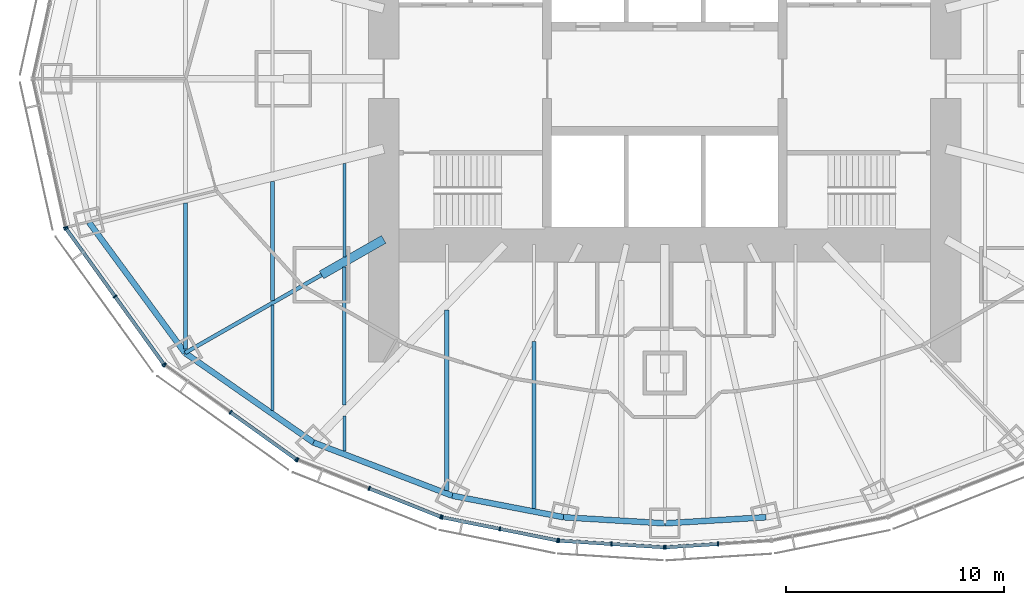
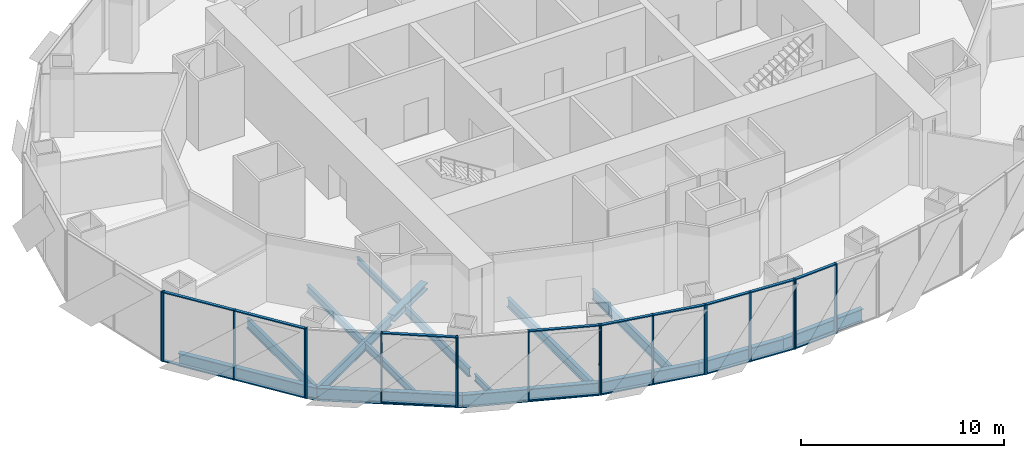
# One storey, part 2 of 17: 36 members, 16 beams, 7 elements without a shape of their own.
"""IFC4 building model written with IfcOpenShell, lengths in metres."""

import ifcopenshell
import ifcopenshell.guid

model = None  # the IFC model being written
_history = None  # IfcOwnerHistory: only IFC2X3 demands one
_inside = {}  # id of a spatial element -> (the spatial element, [elements in it])
_under = {}  # id of a project, library or spatial element -> (it, [spatial elements below it])
_declared = {}  # id of a project -> (the project, [libraries it declares])
_typed = {}  # id of a type object -> (the type object, [elements of that type])
_made_of = {}  # id of a material, layer set ... -> (it, [elements and type objects made of it])


def new_model(schema):
    """Start an empty IFC model of exactly this schema.

    Asked for "IFC4X3", IfcOpenShell would pick the latest addendum, in which some entities
    have other attributes; the version numbers below select the first issue.
    IFC2X3 requires an IfcOwnerHistory on every rooted entity: one is made here for all.
    """
    global model, _history
    if schema == "IFC4X3":
        model = ifcopenshell.file(schema_version=(4, 3, 0, 0))
    else:
        model = ifcopenshell.file(schema=schema)
    _inside.clear()
    _under.clear()
    _declared.clear()
    _typed.clear()
    _made_of.clear()
    _history = None
    if model.schema == "IFC2X3":
        org = make("IfcOrganization", Name="unknown")
        user = make(
            "IfcPersonAndOrganization",
            ThePerson=make("IfcPerson", FamilyName="unknown"),
            TheOrganization=org,
        )
        app = make(
            "IfcApplication",
            ApplicationDeveloper=org,
            Version="unknown",
            ApplicationFullName="unknown",
            ApplicationIdentifier="unknown",
        )
        _history = make(
            "IfcOwnerHistory",
            OwningUser=user,
            OwningApplication=app,
            ChangeAction="ADDED",
            CreationDate=0,
        )
    return model


def make(cls, **values):
    """One entity of the class cls with the attributes given. An attribute that is None is left unset."""
    return model.create_entity(
        cls, **{name: value for name, value in values.items() if value is not None}
    )


def rooted(cls, **values):
    """An entity with a GlobalId (a new one), such as an element, a storey or a relation."""
    return make(cls, GlobalId=ifcopenshell.guid.new(), OwnerHistory=_history, **values)


def si_unit(unit_type, name, prefix=None):
    """IfcSIUnit, for example si_unit("LENGTHUNIT", "METRE", prefix="MILLI")."""
    return make("IfcSIUnit", UnitType=unit_type, Prefix=prefix, Name=name)


def assignment(units):
    """IfcUnitAssignment: the units of a project."""
    return None if units is None else make("IfcUnitAssignment", Units=units)


def point(xyz):
    """IfcCartesianPoint."""
    return None if xyz is None else make("IfcCartesianPoint", Coordinates=xyz)


def direction(xyz):
    """IfcDirection."""
    return None if xyz is None else make("IfcDirection", DirectionRatios=xyz)


def frame(location, z_axis=None, x_axis=None):
    """IfcAxis2Placement3D, a coordinate frame: its origin and axes. An axis left out is left unset."""
    return make(
        "IfcAxis2Placement3D",
        Location=point(location),
        Axis=direction(z_axis),
        RefDirection=direction(x_axis),
    )


def frame_2d(location, x_axis=None):
    """IfcAxis2Placement2D, a coordinate frame in the plane: its origin and x axis."""
    return make(
        "IfcAxis2Placement2D", Location=point(location), RefDirection=direction(x_axis)
    )


def origin():
    """The frame at (0, 0, 0) with its axes left unset."""
    return frame((0.0, 0.0, 0.0))


def origin_2d():
    """The frame at (0, 0) in the plane with its x axis left unset."""
    return frame_2d((0.0, 0.0))


def place(relative_to, where):
    """IfcLocalPlacement: puts the frame where relative to a parent placement (None: the world)."""
    return make(
        "IfcLocalPlacement", PlacementRelTo=relative_to, RelativePlacement=where
    )


def context(
    kind, dimensions, precision=None, world=None, true_north=None, identifier=None
):
    """IfcGeometricRepresentationContext, for example the 3D "Model" context."""
    return make(
        "IfcGeometricRepresentationContext",
        ContextIdentifier=identifier,
        ContextType=kind,
        CoordinateSpaceDimension=dimensions,
        Precision=precision,
        WorldCoordinateSystem=world,
        TrueNorth=true_north,
    )


def subcontext(parent, identifier, kind, view, scale=None):
    """IfcGeometricRepresentationSubContext, for example "Body" below "Model"."""
    return make(
        "IfcGeometricRepresentationSubContext",
        ContextIdentifier=identifier,
        ContextType=kind,
        ParentContext=parent,
        TargetScale=scale,
        TargetView=view,
    )


def project(units=None, contexts=None):
    """IfcProject with its units and contexts."""
    return rooted(
        "IfcProject",
        Name="project",
        RepresentationContexts=contexts,
        UnitsInContext=assignment(units),
    )


def spatial(cls, under=None, at=None, **own):
    """A site, building, storey or space (cls), placed at a placement, below another one or the project."""
    s = rooted(cls, ObjectPlacement=at, **own)
    if under is not None:
        _under.setdefault(under.id(), (under, []))[1].append(s)
    return s


def profile(cls, at=None, kind="AREA", **sizes):
    """A parametric profile (cls). Its sizes go by their IFC names, for example OverallWidth=200.0."""
    return make(cls, ProfileType=kind, Position=at, **sizes)


def rectangle(**sizes):
    """IfcRectangleProfileDef."""
    return profile("IfcRectangleProfileDef", **sizes)


def i_section(**sizes):
    """IfcIShapeProfileDef."""
    return profile("IfcIShapeProfileDef", **sizes)


def extrude(swept, where, along, depth):
    """IfcExtrudedAreaSolid: the profile swept, set in the frame where, extruded along a direction by depth."""
    return make(
        "IfcExtrudedAreaSolid",
        SweptArea=swept,
        Position=where,
        ExtrudedDirection=direction(along),
        Depth=depth,
    )


def shape(context_of_items, identifier, shape_type, items):
    """IfcShapeRepresentation: the items that make up one representation, for example the "Body"."""
    return make(
        "IfcShapeRepresentation",
        ContextOfItems=context_of_items,
        RepresentationIdentifier=identifier,
        RepresentationType=shape_type,
        Items=items,
    )


def material(Name=None, Category=None):
    """IfcMaterial."""
    return make("IfcMaterial", Name=Name, Category=Category)


def material_profile(
    of_material, cross_section, Name=None, Category=None, Priority=None
):
    """IfcMaterialProfile: a cross section and its material."""
    return make(
        "IfcMaterialProfile",
        Name=Name,
        Material=of_material,
        Profile=cross_section,
        Priority=Priority,
        Category=Category,
    )


def profile_set(profiles, Name=None, composite=None):
    """IfcMaterialProfileSet."""
    return make(
        "IfcMaterialProfileSet",
        Name=Name,
        MaterialProfiles=profiles,
        CompositeProfile=composite,
    )


def made_of(thing, what):
    """Note that an element or type object is made of a material, layer set ...; save() writes the relation."""
    if what is not None:
        _made_of.setdefault(what.id(), (what, []))[1].append(thing)
    return thing


def type_object(cls, material=None, **own):
    """A type object (cls), such as IfcWallType, which elements share."""
    return made_of(rooted(cls, **own), material)


def element(
    cls,
    number,
    at=None,
    inside=None,
    cuts=None,
    type_object=None,
    material=None,
    context=None,
    identifier="Body",
    shape_type=None,
    held_by="IfcProductDefinitionShape",
    body=None,
    shapes=None,
    **own,
):
    """One element of the class cls, such as IfcWall. Its Tag is "e" and its number.

    at: its placement. inside: the storey or other place that contains it. cuts: it is an
    opening in that element (IfcRelVoidsElement). A single representation is given by context,
    identifier, shape_type and body (its items); several are given by shapes. held_by: the class
    of the entity that holds the representations. save() writes the other relations.
    """
    e = rooted(cls, Tag="e%d" % number, ObjectPlacement=at, **own)
    if body is not None:
        shapes = [shape(context, identifier, shape_type, body)]
    if shapes is not None:
        e.Representation = make(held_by, Representations=shapes)
    if inside is not None:
        _inside.setdefault(inside.id(), (inside, []))[1].append(e)
    if cuts is not None:
        rooted(
            "IfcRelVoidsElement", RelatingBuildingElement=cuts, RelatedOpeningElement=e
        )
    if type_object is not None:
        _typed.setdefault(type_object.id(), (type_object, []))[1].append(e)
    return made_of(e, material)


def aggregate(whole, parts):
    """IfcRelAggregates: a whole, such as a stair, and the parts it consists of."""
    return rooted("IfcRelAggregates", RelatingObject=whole, RelatedObjects=parts)


def save(model, path):
    """Write the relations noted so far, then the file.

    IfcRelAggregates (storeys below a building ...), IfcRelContainedInSpatialStructure (elements
    in a storey), IfcRelDefinesByType, IfcRelAssociatesMaterial and IfcRelDeclares: one each for
    every whole, place, type object, material and project.
    """
    for whole, parts in _under.values():
        aggregate(whole, parts)
    for where, things in _inside.values():
        rooted(
            "IfcRelContainedInSpatialStructure",
            RelatedElements=things,
            RelatingStructure=where,
        )
    for kind, things in _typed.values():
        rooted("IfcRelDefinesByType", RelatedObjects=things, RelatingType=kind)
    for what, things in _made_of.values():
        rooted("IfcRelAssociatesMaterial", RelatedObjects=things, RelatingMaterial=what)
    for by, libraries in _declared.values():
        rooted("IfcRelDeclares", RelatingContext=by, RelatedDefinitions=libraries)
    model.write(path)


model = new_model("IFC4")

# Units and contexts
model_context = context("Model", 3, precision=1e-05, world=origin(), true_north=direction((0.0, 1.0)))
body_context = subcontext(model_context, "Body", "Model", "MODEL_VIEW")
ifc_project = project(units=[si_unit("LENGTHUNIT", "METRE"), si_unit("AREAUNIT", "SQUARE_METRE"), si_unit("VOLUMEUNIT", "CUBIC_METRE"), si_unit("PLANEANGLEUNIT", "RADIAN"), si_unit("MASSUNIT", "GRAM", prefix="KILO")], contexts=[model_context])

# Site, building, storey
site_placement = place(None, origin())
site = spatial("IfcSite", under=ifc_project, at=site_placement, CompositionType="ELEMENT")
building_placement = place(site_placement, origin())
building = spatial("IfcBuilding", under=site, at=building_placement, Name="Lantaw Convention Tower", CompositionType="ELEMENT")
storey_placement = place(building_placement, frame((0.0, 0.0, 125.800048828125)))
storey = spatial("IfcBuildingStorey", under=building, at=storey_placement, Name="L29", CompositionType="ELEMENT", Elevation=125.800048828125)

# Beams
ifc_material_1 = material(Name="Steel ASTM A992", Category="steel")
ifc_material_profile_1 = material_profile(ifc_material_1, i_section(OverallWidth=0.2666015625, OverallDepth=0.76953125, WebThickness=0.015625, FlangeThickness=0.025390625, FilletRadius=0.0126953125, at=origin_2d()), Name="W30X132")
ifc_profile_set_1 = profile_set([ifc_material_profile_1], Name="Steel ASTM A992")
beam_type_1 = type_object("IfcBeamType", Name="Beam E W30X132", PredefinedType="SPANDREL", material=ifc_profile_set_1)
beam_1_placement = place(storey_placement, frame((-26.419921875, -6.587158203125, -0.534912109375), z_axis=(0.5923891972, -0.805651934176, 0.0), x_axis=(0.805651934176, 0.5923891972, 0.0)))
element("IfcBeam", 1, at=beam_1_placement, inside=storey, type_object=beam_type_1, Name="Edge beam 14", PredefinedType="SPANDREL", context=body_context, shape_type="SweptSolid", body=[
    extrude(i_section(OverallWidth=0.2666015625, OverallDepth=0.76953125, WebThickness=0.015625, FlangeThickness=0.025390625, FilletRadius=0.0126953125, at=origin_2d()), origin(), (0.0, 0.0, 1.0), 7.437744140625),
])
beam_2_placement = place(storey_placement, frame((-22.013916015625, -12.579345703125, -0.534912109375), z_axis=(0.820310765287, -0.57191804339, 0.0), x_axis=(0.57191804339, 0.820310765287, 0.0)))
element("IfcBeam", 2, at=beam_2_placement, inside=storey, type_object=beam_type_1, Name="Edge beam 15", PredefinedType="SPANDREL", context=body_context, shape_type="SweptSolid", body=[
    extrude(i_section(OverallWidth=0.2666015625, OverallDepth=0.76953125, WebThickness=0.015625, FlangeThickness=0.025390625, FilletRadius=0.0126953125, at=origin_2d()), origin(), (0.0, 0.0, 1.0), 7.187744140625),
])
beam_3_placement = place(storey_placement, frame((-16.11767578125, -16.690185546875, -0.534912109375), z_axis=(0.933691081977, -0.358079549033, 0.0), x_axis=(0.358079549033, 0.933691081977, 0.0)))
element("IfcBeam", 3, at=beam_3_placement, inside=storey, type_object=beam_type_1, Name="Edge beam 16", PredefinedType="SPANDREL", context=body_context, shape_type="SweptSolid", body=[
    extrude(i_section(OverallWidth=0.2666015625, OverallDepth=0.76953125, WebThickness=0.015625, FlangeThickness=0.025390625, FilletRadius=0.0126953125, at=origin_2d()), origin(), (0.0, 0.0, 1.0), 6.821533203125),
])
beam_4_placement = place(storey_placement, frame((-9.74853515625, -19.1328125, -0.534912109375), z_axis=(0.981796805654, -0.189934284446, 0.0), x_axis=(0.189934284446, 0.981796805654, 0.0)))
element("IfcBeam", 4, at=beam_4_placement, inside=storey, type_object=beam_type_1, Name="Edge beam 17", PredefinedType="SPANDREL", context=body_context, shape_type="SweptSolid", body=[
    extrude(i_section(OverallWidth=0.2666015625, OverallDepth=0.76953125, WebThickness=0.015625, FlangeThickness=0.025390625, FilletRadius=0.0126953125, at=origin_2d()), origin(), (0.0, 0.0, 1.0), 5.1982421875),
])
for number, where, z_axis, x_axis, name in (
    (5, (-4.64501953125, -20.1201171875, -0.534912109375), (0.998190892054, -0.06012439621, 0.0), (0.06012439621, 0.998190892054, 0.0), "Edge beam 18"),
    (6, (0.0, -20.39990234375, -0.534912109375), (0.998190892054, 0.06012439621, 0.0), (-0.06012439621, 0.998190892054, 0.0), "Edge beam 19"),
):
    element("IfcBeam", number, at=place(storey_placement, frame(where, z_axis=z_axis, x_axis=x_axis)), inside=storey, type_object=beam_type_1, Name=name, PredefinedType="SPANDREL", context=body_context, shape_type="SweptSolid", body=[
        extrude(i_section(OverallWidth=0.2666015625, OverallDepth=0.76953125, WebThickness=0.015625, FlangeThickness=0.025390625, FilletRadius=0.0126953125, at=origin_2d()), origin(), (0.0, 0.0, 1.0), 4.6533203125),
    ])
ifc_material_profile_2 = material_profile(ifc_material_1, i_section(OverallWidth=0.177978515625, OverallDepth=0.599365234375, WebThickness=0.010009765625, FlangeThickness=0.012939453125, FilletRadius=0.012939453125, at=origin_2d()), Name="W24X55")
ifc_profile_set_2 = profile_set([ifc_material_profile_2], Name="Steel ASTM A992")
beam_type_2 = type_object("IfcBeamType", Name="Beam G W24X55", PredefinedType="BEAM", material=ifc_profile_set_2)
beam_5_placement = place(storey_placement, frame((-15.75, -9.0, -0.44970703125), z_axis=(-0.868245224608, -0.496135293993, 0.0), x_axis=(0.496135293993, -0.868245224608, 0.0)))
element("IfcBeam", 7, at=beam_5_placement, inside=storey, type_object=beam_type_2, Name="Floor girder on ray 15", PredefinedType="BEAM", context=body_context, shape_type="SweptSolid", body=[
    extrude(i_section(OverallWidth=0.177978515625, OverallDepth=0.599365234375, WebThickness=0.010009765625, FlangeThickness=0.012939453125, FilletRadius=0.012939453125, at=origin_2d()), origin(), (0.0, 0.0, 1.0), 7.21435546875),
])
ifc_material_profile_3 = material_profile(ifc_material_1, i_section(OverallWidth=0.40380859375, OverallDepth=0.406494140625, WebThickness=0.027099609375, FlangeThickness=0.043701171875, FilletRadius=0.01513671875, at=origin_2d()), Name="W14X233")
ifc_profile_set_3 = profile_set([ifc_material_profile_3], Name="Steel ASTM A992")
beam_type_3 = type_object("IfcBeamType", Name="Beam GM W14X233", PredefinedType="BEAM", material=ifc_profile_set_3)
beam_6_placement = place(storey_placement, frame((-12.89990234375, -7.371337890625, -0.353271484375), z_axis=(-0.868238565244, -0.496146947811, 0.0), x_axis=(0.496146947811, -0.868238565244, 0.0)))
element("IfcBeam", 8, at=beam_6_placement, inside=storey, type_object=beam_type_3, Name="Core link beam on ray 15", PredefinedType="BEAM", context=body_context, shape_type="SweptSolid", body=[
    extrude(i_section(OverallWidth=0.40380859375, OverallDepth=0.406494140625, WebThickness=0.027099609375, FlangeThickness=0.043701171875, FilletRadius=0.01513671875, at=origin_2d()), origin(), (0.0, 0.0, 1.0), 3.28271484375),
])
ifc_material_profile_4 = material_profile(ifc_material_1, i_section(OverallWidth=0.140380859375, OverallDepth=0.40380859375, WebThickness=0.007080078125, FlangeThickness=0.01123046875, FilletRadius=0.01025390625, at=origin_2d()), Name="W16X31")
ifc_profile_set_4 = profile_set([ifc_material_profile_4], Name="Steel ASTM A992")
beam_type_4 = type_object("IfcBeamType", Name="Beam J W16X31", PredefinedType="JOIST", material=ifc_profile_set_4)
beam_7_placement = place(storey_placement, frame((-14.699951171875, -17.091064453125, -0.35205078125), z_axis=(0.0, 1.0, 0.0), x_axis=(-1.0, 0.0, 0.0)))
element("IfcBeam", 9, at=beam_7_placement, inside=storey, type_object=beam_type_4, Name="Floor joist", PredefinedType="JOIST", context=body_context, shape_type="SweptSolid", body=[
    extrude(i_section(OverallWidth=0.140380859375, OverallDepth=0.40380859375, WebThickness=0.007080078125, FlangeThickness=0.01123046875, FilletRadius=0.01025390625, at=origin_2d()), origin(), (0.0, 0.0, 1.0), 1.609130859375),
])
beam_8_placement = place(storey_placement, frame((-14.699951171875, -8.16748046875, -0.35205078125), z_axis=(0.0, 1.0, 0.0), x_axis=(-1.0, 0.0, 0.0)))
element("IfcBeam", 10, at=beam_8_placement, inside=storey, type_object=beam_type_4, Name="Floor joist", PredefinedType="JOIST", context=body_context, shape_type="SweptSolid", body=[
    extrude(i_section(OverallWidth=0.140380859375, OverallDepth=0.40380859375, WebThickness=0.007080078125, FlangeThickness=0.01123046875, FilletRadius=0.01025390625, at=origin_2d()), origin(), (0.0, 0.0, 1.0), 4.28515625),
])
ifc_material_profile_5 = material_profile(ifc_material_1, i_section(OverallWidth=0.15234375, OverallDepth=0.449462890625, WebThickness=0.007568359375, FlangeThickness=0.0107421875, FilletRadius=0.01025390625, at=origin_2d()), Name="W18X35")
ifc_profile_set_5 = profile_set([ifc_material_profile_5], Name="Steel ASTM A992")
beam_type_5 = type_object("IfcBeamType", Name="Beam J W18X35", PredefinedType="JOIST", material=ifc_profile_set_5)
beam_9_placement = place(storey_placement, frame((-18.0, -15.21533203125, -0.374755859375), z_axis=(0.0, 1.0, 0.0), x_axis=(-1.0, 0.0, 0.0)))
element("IfcBeam", 11, at=beam_9_placement, inside=storey, type_object=beam_type_5, Name="Floor joist", PredefinedType="JOIST", context=body_context, shape_type="SweptSolid", body=[
    extrude(i_section(OverallWidth=0.15234375, OverallDepth=0.449462890625, WebThickness=0.007568359375, FlangeThickness=0.0107421875, FilletRadius=0.01025390625, at=origin_2d()), origin(), (0.0, 0.0, 1.0), 4.8271484375),
])
ifc_material_profile_6 = material_profile(ifc_material_1, i_section(OverallWidth=0.1904296875, OverallDepth=0.457275390625, WebThickness=0.009033203125, FlangeThickness=0.014404296875, FilletRadius=0.01025390625, at=origin_2d()), Name="W18X50")
ifc_profile_set_6 = profile_set([ifc_material_profile_6], Name="Steel ASTM A992")
beam_type_6 = type_object("IfcBeamType", Name="Beam J W18X50", PredefinedType="JOIST", material=ifc_profile_set_6)
beam_10_placement = place(storey_placement, frame((-18.0, -10.18310546875, -0.378662109375), z_axis=(0.0, 1.0, 0.0), x_axis=(-1.0, 0.0, 0.0)))
element("IfcBeam", 12, at=beam_10_placement, inside=storey, type_object=beam_type_6, Name="Floor joist", PredefinedType="JOIST", context=body_context, shape_type="SweptSolid", body=[
    extrude(i_section(OverallWidth=0.1904296875, OverallDepth=0.457275390625, WebThickness=0.009033203125, FlangeThickness=0.014404296875, FilletRadius=0.01025390625, at=origin_2d()), origin(), (0.0, 0.0, 1.0), 5.47802734375),
])
ifc_material_profile_7 = material_profile(ifc_material_1, i_section(OverallWidth=0.1650390625, OverallDepth=0.52587890625, WebThickness=0.0087890625, FlangeThickness=0.011474609375, FilletRadius=0.0126953125, at=origin_2d()), Name="W21X44")
ifc_profile_set_7 = profile_set([ifc_material_profile_7], Name="Steel ASTM A992")
beam_type_7 = type_object("IfcBeamType", Name="Beam J W21X44", PredefinedType="JOIST", material=ifc_profile_set_7)
beam_11_placement = place(storey_placement, frame((-14.699951171875, -14.962646484375, -0.412841796875), z_axis=(0.0, 1.0, 0.0), x_axis=(-1.0, 0.0, 0.0)))
element("IfcBeam", 13, at=beam_11_placement, inside=storey, type_object=beam_type_7, Name="Floor joist", PredefinedType="JOIST", context=body_context, shape_type="SweptSolid", body=[
    extrude(i_section(OverallWidth=0.1650390625, OverallDepth=0.52587890625, WebThickness=0.0087890625, FlangeThickness=0.011474609375, FilletRadius=0.0126953125, at=origin_2d()), origin(), (0.0, 0.0, 1.0), 6.330078125),
])
ifc_material_profile_8 = material_profile(ifc_material_1, i_section(OverallWidth=0.2099609375, OverallDepth=0.535888671875, WebThickness=0.010986328125, FlangeThickness=0.017333984375, FilletRadius=0.012939453125, at=origin_2d()), Name="W21X68")
ifc_profile_set_8 = profile_set([ifc_material_profile_8], Name="Steel ASTM A992")
beam_type_8 = type_object("IfcBeamType", Name="Beam J W21X68", PredefinedType="JOIST", material=ifc_profile_set_8)
beam_12_placement = place(storey_placement, frame((-10.0, -18.8935546875, -0.41796875), z_axis=(0.0, 1.0, 0.0), x_axis=(-1.0, 0.0, 0.0)))
element("IfcBeam", 14, at=beam_12_placement, inside=storey, type_object=beam_type_8, Name="Floor joist", PredefinedType="JOIST", context=body_context, shape_type="SweptSolid", body=[
    extrude(i_section(OverallWidth=0.2099609375, OverallDepth=0.535888671875, WebThickness=0.010986328125, FlangeThickness=0.017333984375, FilletRadius=0.012939453125, at=origin_2d()), origin(), (0.0, 0.0, 1.0), 8.278564453125),
])
ifc_material_profile_9 = material_profile(ifc_material_1, i_section(OverallWidth=0.177978515625, OverallDepth=0.599365234375, WebThickness=0.010009765625, FlangeThickness=0.012939453125, FilletRadius=0.012939453125, at=origin_2d()), Name="W24X55")
ifc_profile_set_9 = profile_set([ifc_material_profile_9], Name="Steel ASTM A992")
beam_type_9 = type_object("IfcBeamType", Name="Beam J W24X55", PredefinedType="JOIST", material=ifc_profile_set_9)
beam_13_placement = place(storey_placement, frame((-22.0, -12.408935546875, -0.44970703125), z_axis=(0.0, 1.0, 0.0), x_axis=(-1.0, 0.0, 0.0)))
element("IfcBeam", 15, at=beam_13_placement, inside=storey, type_object=beam_type_9, Name="Floor joist", PredefinedType="JOIST", context=body_context, shape_type="SweptSolid", body=[
    extrude(i_section(OverallWidth=0.177978515625, OverallDepth=0.599365234375, WebThickness=0.010009765625, FlangeThickness=0.012939453125, FilletRadius=0.012939453125, at=origin_2d()), origin(), (0.0, 0.0, 1.0), 6.70654296875),
])
beam_14_placement = place(storey_placement, frame((-6.0, -19.72216796875, -0.44970703125), z_axis=(0.0, 1.0, 0.0), x_axis=(-1.0, 0.0, 0.0)))
element("IfcBeam", 16, at=beam_14_placement, inside=storey, type_object=beam_type_9, Name="Floor joist", PredefinedType="JOIST", context=body_context, shape_type="SweptSolid", body=[
    extrude(i_section(OverallWidth=0.177978515625, OverallDepth=0.599365234375, WebThickness=0.010009765625, FlangeThickness=0.012939453125, FilletRadius=0.012939453125, at=origin_2d()), origin(), (0.0, 0.0, 1.0), 7.666748046875),
])

# Curtain wall, member
ifc_material_2 = material(Name="Aluminium framed curtain wall", Category="aluminium")
curtain_wall_type = type_object("IfcCurtainWallType", Name="Office curtain wall low rise, pale aluminium", PredefinedType="USERDEFINED", material=ifc_material_2)
curtain_wall_1_placement = place(storey_placement, origin())
curtain_wall_1 = element("IfcCurtainWall", 17, at=curtain_wall_1_placement, inside=storey, type_object=curtain_wall_type, Name="Office curtain wall low rise, pale aluminium L29", ObjectType="UNITISED CURTAIN WALL", PredefinedType="USERDEFINED")
ifc_material_3 = material(Name="Aluminium 6063-T6", Category="aluminium")
ifc_material_profile_10 = material_profile(ifc_material_3, rectangle(XDim=0.199951171875, YDim=0.06494140625, at=origin_2d()), Name="CW-O1 mullion 65x200")
ifc_profile_set_10 = profile_set([ifc_material_profile_10], Name="Aluminium 6063-T6")
member_type_1 = type_object("IfcMemberType", Name="CW-O1 mullion 65x200", PredefinedType="MULLION", material=ifc_profile_set_10)
member_1_placement = place(storey_placement, frame((-27.494140625, -6.821533203125, -0.150146484375), z_axis=(0.0, 0.0, 1.0), x_axis=(0.9764936509, 0.215546166174, 0.0)))
member_1 = element("IfcMember", 18, at=member_1_placement, type_object=member_type_1, Name="CW-O1 mullion 3", PredefinedType="MULLION", context=body_context, shape_type="SweptSolid", body=[
    extrude(rectangle(XDim=0.199951171875, YDim=0.06494140625, at=origin_2d()), origin(), (0.0, 0.0, 1.0), 4.2001953125),
])
aggregate(curtain_wall_1, [member_1])

# Curtain wall, members
curtain_wall_2_placement = place(storey_placement, origin())
curtain_wall_2 = element("IfcCurtainWall", 19, at=curtain_wall_2_placement, inside=storey, type_object=curtain_wall_type, Name="Office curtain wall low rise, pale aluminium L29", ObjectType="UNITISED CURTAIN WALL", PredefinedType="USERDEFINED")
member_2_placement = place(storey_placement, frame((-27.46826171875, -6.879638671875, -0.150146484375), z_axis=(0.0, 0.0, 1.0), x_axis=(0.811384633629, 0.584512597221, 0.0)))
member_2 = element("IfcMember", 20, at=member_2_placement, type_object=member_type_1, Name="CW-O1 mullion 1", PredefinedType="MULLION", context=body_context, shape_type="SweptSolid", body=[
    extrude(rectangle(XDim=0.199951171875, YDim=0.06494140625, at=origin_2d()), origin(), (0.0, 0.0, 1.0), 4.2001953125),
])
member_3_placement = place(storey_placement, frame((-25.22802734375, -9.9892578125, -0.150146484375), z_axis=(0.0, 0.0, 1.0), x_axis=(0.811384633629, 0.584512597221, 0.0)))
member_3 = element("IfcMember", 21, at=member_3_placement, type_object=member_type_1, Name="CW-O1 mullion 2", PredefinedType="MULLION", context=body_context, shape_type="SweptSolid", body=[
    extrude(rectangle(XDim=0.199951171875, YDim=0.06494140625, at=origin_2d()), origin(), (0.0, 0.0, 1.0), 4.2001953125),
])
member_4_placement = place(storey_placement, frame((-22.988037109375, -13.098876953125, -0.150146484375), z_axis=(0.0, 0.0, 1.0), x_axis=(0.811384633629, 0.584512597221, 0.0)))
member_4 = element("IfcMember", 22, at=member_4_placement, type_object=member_type_1, Name="CW-O1 mullion 3", PredefinedType="MULLION", context=body_context, shape_type="SweptSolid", body=[
    extrude(rectangle(XDim=0.199951171875, YDim=0.06494140625, at=origin_2d()), origin(), (0.0, 0.0, 1.0), 4.2001953125),
])

curtain_wall_3_placement = place(storey_placement, origin())
curtain_wall_3 = element("IfcCurtainWall", 23, at=curtain_wall_3_placement, inside=storey, type_object=curtain_wall_type, Name="Office curtain wall low rise, pale aluminium L29", ObjectType="UNITISED CURTAIN WALL", PredefinedType="USERDEFINED")
member_5_placement = place(storey_placement, frame((-22.942626953125, -13.14404296875, -0.150146484375), z_axis=(0.0, 0.0, 1.0), x_axis=(0.581972695693, 0.813208325995, 0.0)))
member_5 = element("IfcMember", 24, at=member_5_placement, type_object=member_type_1, Name="CW-O1 mullion 1", PredefinedType="MULLION", context=body_context, shape_type="SweptSolid", body=[
    extrude(rectangle(XDim=0.199951171875, YDim=0.06494140625, at=origin_2d()), origin(), (0.0, 0.0, 1.0), 4.2001953125),
])
member_6_placement = place(storey_placement, frame((-19.92529296875, -15.303466796875, -0.150146484375), z_axis=(0.0, 0.0, 1.0), x_axis=(0.581972695693, 0.813208325995, 0.0)))
member_6 = element("IfcMember", 25, at=member_6_placement, type_object=member_type_1, Name="CW-O1 mullion 2", PredefinedType="MULLION", context=body_context, shape_type="SweptSolid", body=[
    extrude(rectangle(XDim=0.199951171875, YDim=0.06494140625, at=origin_2d()), origin(), (0.0, 0.0, 1.0), 4.2001953125),
])
member_7_placement = place(storey_placement, frame((-16.908203125, -17.462646484375, -0.150146484375), z_axis=(0.0, 0.0, 1.0), x_axis=(0.581972695693, 0.813208325995, 0.0)))
member_7 = element("IfcMember", 26, at=member_7_placement, type_object=member_type_1, Name="CW-O1 mullion 3", PredefinedType="MULLION", context=body_context, shape_type="SweptSolid", body=[
    extrude(rectangle(XDim=0.199951171875, YDim=0.06494140625, at=origin_2d()), origin(), (0.0, 0.0, 1.0), 4.2001953125),
])

curtain_wall_4_placement = place(storey_placement, origin())
curtain_wall_4 = element("IfcCurtainWall", 27, at=curtain_wall_4_placement, inside=storey, type_object=curtain_wall_type, Name="Office curtain wall low rise, pale aluminium L29", ObjectType="UNITISED CURTAIN WALL", PredefinedType="USERDEFINED")
member_8_placement = place(storey_placement, frame((-16.8515625, -17.49365234375, -0.150146484375), z_axis=(0.0, 0.0, 1.0), x_axis=(0.368701907483, 0.929547687544, 0.0)))
member_8 = element("IfcMember", 28, at=member_8_placement, type_object=member_type_1, Name="CW-O1 mullion 1", PredefinedType="MULLION", context=body_context, shape_type="SweptSolid", body=[
    extrude(rectangle(XDim=0.199951171875, YDim=0.06494140625, at=origin_2d()), origin(), (0.0, 0.0, 1.0), 4.2001953125),
])
member_9_placement = place(storey_placement, frame((-13.56494140625, -18.797119140625, -0.150146484375), z_axis=(0.0, 0.0, 1.0), x_axis=(0.368701907483, 0.929547687544, 0.0)))
member_9 = element("IfcMember", 29, at=member_9_placement, type_object=member_type_1, Name="CW-O1 mullion 2", PredefinedType="MULLION", context=body_context, shape_type="SweptSolid", body=[
    extrude(rectangle(XDim=0.199951171875, YDim=0.06494140625, at=origin_2d()), origin(), (0.0, 0.0, 1.0), 4.2001953125),
])
member_10_placement = place(storey_placement, frame((-10.2783203125, -20.100830078125, -0.150146484375), z_axis=(0.0, 0.0, 1.0), x_axis=(0.368701907483, 0.929547687544, 0.0)))
member_10 = element("IfcMember", 30, at=member_10_placement, type_object=member_type_1, Name="CW-O1 mullion 3", PredefinedType="MULLION", context=body_context, shape_type="SweptSolid", body=[
    extrude(rectangle(XDim=0.199951171875, YDim=0.06494140625, at=origin_2d()), origin(), (0.0, 0.0, 1.0), 4.2001953125),
])

curtain_wall_5_placement = place(storey_placement, origin())
curtain_wall_5 = element("IfcCurtainWall", 31, at=curtain_wall_5_placement, inside=storey, type_object=curtain_wall_type, Name="Office curtain wall low rise, pale aluminium L29", ObjectType="UNITISED CURTAIN WALL", PredefinedType="USERDEFINED")
member_11_placement = place(storey_placement, frame((-10.216064453125, -20.119140625, -0.150146484375), z_axis=(0.0, 0.0, 1.0), x_axis=(0.197506809659, 0.980301514912, 0.0)))
member_11 = element("IfcMember", 32, at=member_11_placement, type_object=member_type_1, Name="CW-O1 mullion 1", PredefinedType="MULLION", context=body_context, shape_type="SweptSolid", body=[
    extrude(rectangle(XDim=0.199951171875, YDim=0.06494140625, at=origin_2d()), origin(), (0.0, 0.0, 1.0), 4.2001953125),
])
member_12_placement = place(storey_placement, frame((-7.5703125, -20.65234375, -0.150146484375), z_axis=(0.0, 0.0, 1.0), x_axis=(0.197506809659, 0.980301514912, 0.0)))
member_12 = element("IfcMember", 33, at=member_12_placement, type_object=member_type_1, Name="CW-O1 mullion 2", PredefinedType="MULLION", context=body_context, shape_type="SweptSolid", body=[
    extrude(rectangle(XDim=0.199951171875, YDim=0.06494140625, at=origin_2d()), origin(), (0.0, 0.0, 1.0), 4.2001953125),
])
member_13_placement = place(storey_placement, frame((-4.92431640625, -21.185302734375, -0.150146484375), z_axis=(0.0, 0.0, 1.0), x_axis=(0.197506809659, 0.980301514912, 0.0)))
member_13 = element("IfcMember", 34, at=member_13_placement, type_object=member_type_1, Name="CW-O1 mullion 3", PredefinedType="MULLION", context=body_context, shape_type="SweptSolid", body=[
    extrude(rectangle(XDim=0.199951171875, YDim=0.06494140625, at=origin_2d()), origin(), (0.0, 0.0, 1.0), 4.2001953125),
])

curtain_wall_6_placement = place(storey_placement, origin())
curtain_wall_6 = element("IfcCurtainWall", 35, at=curtain_wall_6_placement, inside=storey, type_object=curtain_wall_type, Name="Office curtain wall low rise, pale aluminium L29", ObjectType="UNITISED CURTAIN WALL", PredefinedType="USERDEFINED")
member_14_placement = place(storey_placement, frame((-4.860107421875, -21.19384765625, -0.150146484375), z_axis=(0.0, 0.0, 1.0), x_axis=(0.062865059466, 0.998022035978, 0.0)))
member_14 = element("IfcMember", 36, at=member_14_placement, type_object=member_type_1, Name="CW-O1 mullion 1", PredefinedType="MULLION", context=body_context, shape_type="SweptSolid", body=[
    extrude(rectangle(XDim=0.199951171875, YDim=0.06494140625, at=origin_2d()), origin(), (0.0, 0.0, 1.0), 4.2001953125),
])
member_15_placement = place(storey_placement, frame((-2.4462890625, -21.345947265625, -0.150146484375), z_axis=(0.0, 0.0, 1.0), x_axis=(0.062865059466, 0.998022035978, 0.0)))
member_15 = element("IfcMember", 37, at=member_15_placement, type_object=member_type_1, Name="CW-O1 mullion 2", PredefinedType="MULLION", context=body_context, shape_type="SweptSolid", body=[
    extrude(rectangle(XDim=0.199951171875, YDim=0.06494140625, at=origin_2d()), origin(), (0.0, 0.0, 1.0), 4.2001953125),
])
member_16_placement = place(storey_placement, frame((-0.032470703125, -21.498046875, -0.150146484375), z_axis=(0.0, 0.0, 1.0), x_axis=(0.062865059466, 0.998022035978, 0.0)))
member_16 = element("IfcMember", 38, at=member_16_placement, type_object=member_type_1, Name="CW-O1 mullion 3", PredefinedType="MULLION", context=body_context, shape_type="SweptSolid", body=[
    extrude(rectangle(XDim=0.199951171875, YDim=0.06494140625, at=origin_2d()), origin(), (0.0, 0.0, 1.0), 4.2001953125),
])

curtain_wall_7_placement = place(storey_placement, origin())
curtain_wall_7 = element("IfcCurtainWall", 39, at=curtain_wall_7_placement, inside=storey, type_object=curtain_wall_type, Name="Office curtain wall low rise, pale aluminium L29", ObjectType="UNITISED CURTAIN WALL", PredefinedType="USERDEFINED")
member_17_placement = place(storey_placement, frame((0.032470703125, -21.498046875, -0.150146484375), z_axis=(0.0, 0.0, 1.0), x_axis=(-0.062865059466, 0.998022035978, 0.0)))
member_17 = element("IfcMember", 40, at=member_17_placement, type_object=member_type_1, Name="CW-O1 mullion 1", PredefinedType="MULLION", context=body_context, shape_type="SweptSolid", body=[
    extrude(rectangle(XDim=0.199951171875, YDim=0.06494140625, at=origin_2d()), origin(), (0.0, 0.0, 1.0), 4.2001953125),
])
member_18_placement = place(storey_placement, frame((2.4462890625, -21.345947265625, -0.150146484375), z_axis=(0.0, 0.0, 1.0), x_axis=(-0.062865059466, 0.998022035978, 0.0)))
member_18 = element("IfcMember", 41, at=member_18_placement, type_object=member_type_1, Name="CW-O1 mullion 2", PredefinedType="MULLION", context=body_context, shape_type="SweptSolid", body=[
    extrude(rectangle(XDim=0.199951171875, YDim=0.06494140625, at=origin_2d()), origin(), (0.0, 0.0, 1.0), 4.2001953125),
])

# Member
ifc_material_profile_11 = material_profile(ifc_material_3, rectangle(XDim=0.159912109375, YDim=0.06494140625, at=origin_2d()), Name="CW-O1 transom 65x160")
ifc_profile_set_11 = profile_set([ifc_material_profile_11], Name="Aluminium 6063-T6")
member_type_2 = type_object("IfcMemberType", Name="CW-O1 transom 65x160", PredefinedType="USERDEFINED", material=ifc_profile_set_11)
member_19_placement = place(storey_placement, frame((-27.44921875, -6.906005859375, -0.117431640625), z_axis=(0.584512973979, -0.811384362217, 0.0), x_axis=(0.811384362217, 0.584512973979, 0.0)))
member_19 = element("IfcMember", 42, at=member_19_placement, type_object=member_type_2, Name="CW-O1 transom 1.1", ObjectType="TRANSOM", PredefinedType="USERDEFINED", context=body_context, shape_type="SweptSolid", body=[
    extrude(rectangle(XDim=0.159912109375, YDim=0.06494140625, at=origin_2d()), origin(), (0.0, 0.0, 1.0), 3.767578125),
])

member_20_placement = place(storey_placement, frame((-27.44921875, -6.906005859375, 4.017333984375), z_axis=(0.584512973979, -0.811384362217, 0.0), x_axis=(0.811384362217, 0.584512973979, 0.0)))
member_20 = element("IfcMember", 43, at=member_20_placement, type_object=member_type_2, Name="CW-O1 transom 1.2", ObjectType="TRANSOM", PredefinedType="USERDEFINED", context=body_context, shape_type="SweptSolid", body=[
    extrude(rectangle(XDim=0.159912109375, YDim=0.06494140625, at=origin_2d()), origin(), (0.0, 0.0, 1.0), 3.767578125),
])

member_21_placement = place(storey_placement, frame((-25.209228515625, -10.015625, -0.117431640625), z_axis=(0.584512973979, -0.811384362217, 0.0), x_axis=(0.811384362217, 0.584512973979, 0.0)))
member_21 = element("IfcMember", 44, at=member_21_placement, type_object=member_type_2, Name="CW-O1 transom 2.1", ObjectType="TRANSOM", PredefinedType="USERDEFINED", context=body_context, shape_type="SweptSolid", body=[
    extrude(rectangle(XDim=0.159912109375, YDim=0.06494140625, at=origin_2d()), origin(), (0.0, 0.0, 1.0), 3.767578125),
])

member_22_placement = place(storey_placement, frame((-25.209228515625, -10.015625, 4.017333984375), z_axis=(0.584512973979, -0.811384362217, 0.0), x_axis=(0.811384362217, 0.584512973979, 0.0)))
member_22 = element("IfcMember", 45, at=member_22_placement, type_object=member_type_2, Name="CW-O1 transom 2.2", ObjectType="TRANSOM", PredefinedType="USERDEFINED", context=body_context, shape_type="SweptSolid", body=[
    extrude(rectangle(XDim=0.159912109375, YDim=0.06494140625, at=origin_2d()), origin(), (0.0, 0.0, 1.0), 3.767578125),
])

aggregate(curtain_wall_2, [member_2, member_3, member_4, member_19, member_20, member_21, member_22])

member_23_placement = place(storey_placement, frame((-19.89892578125, -15.322265625, -0.117431640625), z_axis=(0.813190089133, -0.581998177777, 0.0), x_axis=(0.581998177777, 0.813190089133, 0.0)))
member_23 = element("IfcMember", 46, at=member_23_placement, type_object=member_type_2, Name="CW-O1 transom 2.1", ObjectType="TRANSOM", PredefinedType="USERDEFINED", context=body_context, shape_type="SweptSolid", body=[
    extrude(rectangle(XDim=0.159912109375, YDim=0.06494140625, at=origin_2d()), origin(), (0.0, 0.0, 1.0), 3.645263671875),
])

member_24_placement = place(storey_placement, frame((-19.89892578125, -15.322265625, 4.017333984375), z_axis=(0.813190089133, -0.581998177777, 0.0), x_axis=(0.581998177777, 0.813190089133, 0.0)))
member_24 = element("IfcMember", 47, at=member_24_placement, type_object=member_type_2, Name="CW-O1 transom 2.2", ObjectType="TRANSOM", PredefinedType="USERDEFINED", context=body_context, shape_type="SweptSolid", body=[
    extrude(rectangle(XDim=0.159912109375, YDim=0.06494140625, at=origin_2d()), origin(), (0.0, 0.0, 1.0), 3.645263671875),
])

aggregate(curtain_wall_3, [member_5, member_6, member_7, member_23, member_24])

member_25_placement = place(storey_placement, frame((-13.53466796875, -18.80908203125, -0.117431640625), z_axis=(0.929540081544, -0.368721082668, 0.0), x_axis=(0.368721082668, 0.929540081544, 0.0)))
member_25 = element("IfcMember", 48, at=member_25_placement, type_object=member_type_2, Name="CW-O1 transom 2.1", ObjectType="TRANSOM", PredefinedType="USERDEFINED", context=body_context, shape_type="SweptSolid", body=[
    extrude(rectangle(XDim=0.159912109375, YDim=0.06494140625, at=origin_2d()), origin(), (0.0, 0.0, 1.0), 3.470947265625),
])

member_26_placement = place(storey_placement, frame((-13.53466796875, -18.80908203125, 4.017333984375), z_axis=(0.929540081544, -0.368721082668, 0.0), x_axis=(0.368721082668, 0.929540081544, 0.0)))
member_26 = element("IfcMember", 49, at=member_26_placement, type_object=member_type_2, Name="CW-O1 transom 2.2", ObjectType="TRANSOM", PredefinedType="USERDEFINED", context=body_context, shape_type="SweptSolid", body=[
    extrude(rectangle(XDim=0.159912109375, YDim=0.06494140625, at=origin_2d()), origin(), (0.0, 0.0, 1.0), 3.470947265625),
])

aggregate(curtain_wall_4, [member_8, member_9, member_10, member_25, member_26])

member_27_placement = place(storey_placement, frame((-10.184326171875, -20.125732421875, -0.117431640625), z_axis=(0.980301643003, -0.197506173891, 0.0), x_axis=(0.197506173891, 0.980301643003, 0.0)))
member_27 = element("IfcMember", 50, at=member_27_placement, type_object=member_type_2, Name="CW-O1 transom 1.1", ObjectType="TRANSOM", PredefinedType="USERDEFINED", context=body_context, shape_type="SweptSolid", body=[
    extrude(rectangle(XDim=0.159912109375, YDim=0.06494140625, at=origin_2d()), origin(), (0.0, 0.0, 1.0), 2.63427734375),
])

member_28_placement = place(storey_placement, frame((-10.184326171875, -20.125732421875, 4.017333984375), z_axis=(0.980301643003, -0.197506173891, 0.0), x_axis=(0.197506173891, 0.980301643003, 0.0)))
member_28 = element("IfcMember", 51, at=member_28_placement, type_object=member_type_2, Name="CW-O1 transom 1.2", ObjectType="TRANSOM", PredefinedType="USERDEFINED", context=body_context, shape_type="SweptSolid", body=[
    extrude(rectangle(XDim=0.159912109375, YDim=0.06494140625, at=origin_2d()), origin(), (0.0, 0.0, 1.0), 2.63427734375),
])

member_29_placement = place(storey_placement, frame((-7.538330078125, -20.65869140625, -0.117431640625), z_axis=(0.980298027092, -0.197524120247, 0.0), x_axis=(0.197524120247, 0.980298027092, 0.0)))
member_29 = element("IfcMember", 52, at=member_29_placement, type_object=member_type_2, Name="CW-O1 transom 2.1", ObjectType="TRANSOM", PredefinedType="USERDEFINED", context=body_context, shape_type="SweptSolid", body=[
    extrude(rectangle(XDim=0.159912109375, YDim=0.06494140625, at=origin_2d()), origin(), (0.0, 0.0, 1.0), 2.634033203125),
])

member_30_placement = place(storey_placement, frame((-7.538330078125, -20.65869140625, 4.017333984375), z_axis=(0.980298027092, -0.197524120247, 0.0), x_axis=(0.197524120247, 0.980298027092, 0.0)))
member_30 = element("IfcMember", 53, at=member_30_placement, type_object=member_type_2, Name="CW-O1 transom 2.2", ObjectType="TRANSOM", PredefinedType="USERDEFINED", context=body_context, shape_type="SweptSolid", body=[
    extrude(rectangle(XDim=0.159912109375, YDim=0.06494140625, at=origin_2d()), origin(), (0.0, 0.0, 1.0), 2.634033203125),
])

aggregate(curtain_wall_5, [member_11, member_12, member_13, member_27, member_28, member_29, member_30])

member_31_placement = place(storey_placement, frame((-4.82763671875, -21.19580078125, -0.117431640625), z_axis=(0.998022188463, -0.062862638625, 0.0), x_axis=(0.062862638625, 0.998022188463, 0.0)))
member_31 = element("IfcMember", 54, at=member_31_placement, type_object=member_type_2, Name="CW-O1 transom 1.1", ObjectType="TRANSOM", PredefinedType="USERDEFINED", context=body_context, shape_type="SweptSolid", body=[
    extrude(rectangle(XDim=0.159912109375, YDim=0.06494140625, at=origin_2d()), origin(), (0.0, 0.0, 1.0), 2.353515625),
])

member_32_placement = place(storey_placement, frame((-4.82763671875, -21.19580078125, 4.017333984375), z_axis=(0.998022188463, -0.062862638625, 0.0), x_axis=(0.062862638625, 0.998022188463, 0.0)))
member_32 = element("IfcMember", 55, at=member_32_placement, type_object=member_type_2, Name="CW-O1 transom 1.2", ObjectType="TRANSOM", PredefinedType="USERDEFINED", context=body_context, shape_type="SweptSolid", body=[
    extrude(rectangle(XDim=0.159912109375, YDim=0.06494140625, at=origin_2d()), origin(), (0.0, 0.0, 1.0), 2.353515625),
])

member_33_placement = place(storey_placement, frame((-2.413818359375, -21.347900390625, -0.117431640625), z_axis=(0.998022188463, -0.062862638625, 0.0), x_axis=(0.062862638625, 0.998022188463, 0.0)))
member_33 = element("IfcMember", 56, at=member_33_placement, type_object=member_type_2, Name="CW-O1 transom 2.1", ObjectType="TRANSOM", PredefinedType="USERDEFINED", context=body_context, shape_type="SweptSolid", body=[
    extrude(rectangle(XDim=0.159912109375, YDim=0.06494140625, at=origin_2d()), origin(), (0.0, 0.0, 1.0), 2.353515625),
])

member_34_placement = place(storey_placement, frame((-2.413818359375, -21.347900390625, 4.017333984375), z_axis=(0.998022188463, -0.062862638625, 0.0), x_axis=(0.062862638625, 0.998022188463, 0.0)))
member_34 = element("IfcMember", 57, at=member_34_placement, type_object=member_type_2, Name="CW-O1 transom 2.2", ObjectType="TRANSOM", PredefinedType="USERDEFINED", context=body_context, shape_type="SweptSolid", body=[
    extrude(rectangle(XDim=0.159912109375, YDim=0.06494140625, at=origin_2d()), origin(), (0.0, 0.0, 1.0), 2.353515625),
])

aggregate(curtain_wall_6, [member_14, member_15, member_16, member_31, member_32, member_33, member_34])

member_35_placement = place(storey_placement, frame((0.06494140625, -21.495849609375, -0.117431640625), z_axis=(0.998022188463, 0.062862638625, 0.0), x_axis=(-0.062862638625, 0.998022188463, 0.0)))
member_35 = element("IfcMember", 58, at=member_35_placement, type_object=member_type_2, Name="CW-O1 transom 1.1", ObjectType="TRANSOM", PredefinedType="USERDEFINED", context=body_context, shape_type="SweptSolid", body=[
    extrude(rectangle(XDim=0.159912109375, YDim=0.06494140625, at=origin_2d()), origin(), (0.0, 0.0, 1.0), 2.353515625),
])

member_36_placement = place(storey_placement, frame((0.06494140625, -21.495849609375, 4.017333984375), z_axis=(0.998022188463, 0.062862638625, 0.0), x_axis=(-0.062862638625, 0.998022188463, 0.0)))
member_36 = element("IfcMember", 59, at=member_36_placement, type_object=member_type_2, Name="CW-O1 transom 1.2", ObjectType="TRANSOM", PredefinedType="USERDEFINED", context=body_context, shape_type="SweptSolid", body=[
    extrude(rectangle(XDim=0.159912109375, YDim=0.06494140625, at=origin_2d()), origin(), (0.0, 0.0, 1.0), 2.353515625),
])

aggregate(curtain_wall_7, [member_17, member_18, member_35, member_36])

save(model, "model.ifc")
